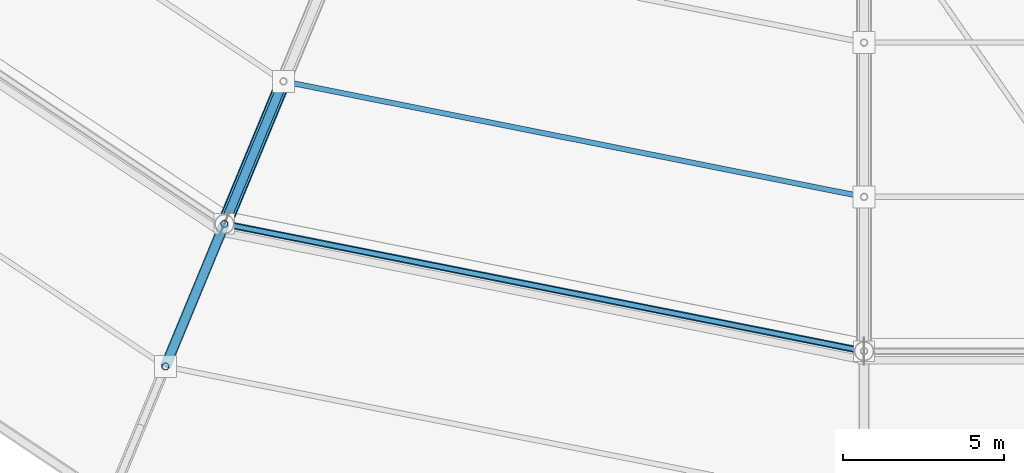
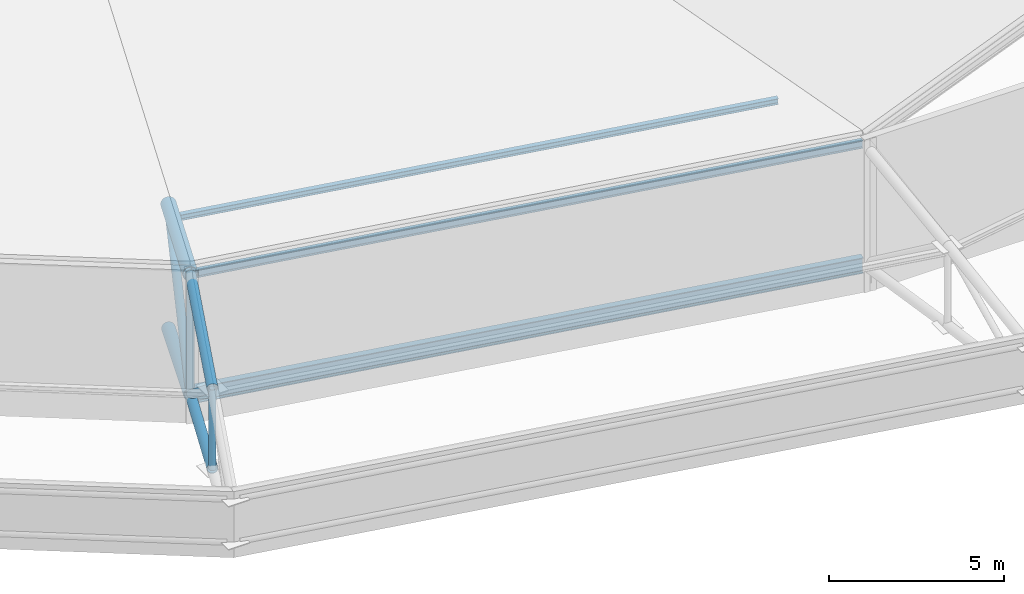
# One storey, part 16 of 146: 9 members, 2 beams.
"""IFC4 building model written with IfcOpenShell, lengths in metres."""

from ifc_helpers import new_model, si_unit, direction, frame, origin, origin_2d, place, context, subcontext, project, spatial, hollow_circle, i_section, extrude, material, material_profile, profile_set, type_object, element, save


model = new_model("IFC4")

# Units and contexts
model_context = context("Model", 3, precision=1e-05, world=origin(), true_north=direction((0.0, 1.0)))
body_context = subcontext(model_context, "Body", "Model", "MODEL_VIEW")
ifc_project = project(units=[si_unit("LENGTHUNIT", "METRE"), si_unit("AREAUNIT", "SQUARE_METRE"), si_unit("VOLUMEUNIT", "CUBIC_METRE"), si_unit("PLANEANGLEUNIT", "RADIAN"), si_unit("MASSUNIT", "GRAM", prefix="KILO")], contexts=[model_context])

# Site, building, storey
site_placement = place(None, origin())
site = spatial("IfcSite", under=ifc_project, at=site_placement, CompositionType="ELEMENT")
building_placement = place(site_placement, origin())
building = spatial("IfcBuilding", under=site, at=building_placement, Name="Candeia Ridge Stadium", CompositionType="ELEMENT")
storey_placement = place(building_placement, frame((0.0, 0.0, 31.800048828125)))
storey = spatial("IfcBuildingStorey", under=building, at=storey_placement, Name="RF", CompositionType="ELEMENT", Elevation=31.800048828125)

# Beams
ifc_material = material(Name="Steel ASTM A572 Grade 50", Category="steel")
ifc_material_profile_1 = material_profile(ifc_material, i_section(OverallWidth=0.14794921875, OverallDepth=0.26611328125, WebThickness=0.007568359375, FlangeThickness=0.012939453125, FilletRadius=0.010986328125, at=origin_2d()), Name="W250x44.8", Category="steel")
ifc_profile_set_1 = profile_set([ifc_material_profile_1], Name="Steel ASTM A572 Grade 50")
beam_type_1 = type_object("IfcBeamType", Name="Canopy Edge Spandrel W250x44.8", PredefinedType="SPANDREL", material=ifc_profile_set_1)
beam_1_placement = place(storey_placement, frame((51.1396484375, 22.950439453125, 4.599853515625), z_axis=(0.980785507788, -0.195089178874, 0.0), x_axis=(0.195089178874, 0.980785507788, 0.0)))
element("IfcBeam", 1, at=beam_1_placement, inside=storey, type_object=beam_type_1, Name="Roof crown cap ring beam bay 18", PredefinedType="SPANDREL", context=body_context, shape_type="SweptSolid", body=[
    extrude(i_section(OverallWidth=0.14794921875, OverallDepth=0.26611328125, WebThickness=0.007568359375, FlangeThickness=0.012939453125, FilletRadius=0.010986328125, at=origin_2d()), origin(), (0.0, 0.0, 1.0), 20.20947265625),
])
ifc_material_profile_2 = material_profile(ifc_material, i_section(OverallWidth=0.2119140625, OverallDepth=0.5439453125, WebThickness=0.01318359375, FlangeThickness=0.021240234375, FilletRadius=0.013916015625, at=origin_2d()), Name="W530x123", Category="steel")
ifc_profile_set_2 = profile_set([ifc_material_profile_2], Name="Steel ASTM A572 Grade 50")
beam_type_2 = type_object("IfcBeamType", Name="Roof Perimeter Ring Beam W530x123", PredefinedType="BEAM", material=ifc_profile_set_2)
beam_2_placement = place(storey_placement, frame((51.1396484375, 22.950439453125, 0.39990234375), z_axis=(0.980785507788, -0.195089178874, 0.0), x_axis=(0.195089178874, 0.980785507788, 0.0)))
element("IfcBeam", 2, at=beam_2_placement, inside=storey, type_object=beam_type_2, Name="Roof perimeter ring beam bay 18", PredefinedType="BEAM", context=body_context, shape_type="SweptSolid", body=[
    extrude(i_section(OverallWidth=0.2119140625, OverallDepth=0.5439453125, WebThickness=0.01318359375, FlangeThickness=0.021240234375, FilletRadius=0.013916015625, at=origin_2d()), origin(), (0.0, 0.0, 1.0), 20.20947265625),
])

# Members
ifc_material_profile_3 = material_profile(ifc_material, i_section(OverallWidth=0.1650390625, OverallDepth=0.200927734375, WebThickness=0.006103515625, FlangeThickness=0.01025390625, FilletRadius=0.010009765625, at=origin_2d()), Name="W200x35.9", Category="steel")
ifc_profile_set_3 = profile_set([ifc_material_profile_3], Name="Steel ASTM A572 Grade 50")
member_type_1 = type_object("IfcMemberType", Name="Roof Purlin W200x35.9", PredefinedType="PURLIN", material=ifc_profile_set_3)
member_1_placement = place(storey_placement, frame((52.986328125, 27.383056640625, 3.19189453125), z_axis=(0.980786730857, -0.19508302995, 0.0), x_axis=(0.19508302995, 0.980786730857, 0.0)))
element("IfcMember", 3, at=member_1_placement, inside=storey, type_object=member_type_1, Name="Saddle roof steel purlin bay 18-4", PredefinedType="PURLIN", context=body_context, shape_type="SweptSolid", body=[
    extrude(i_section(OverallWidth=0.1650390625, OverallDepth=0.200927734375, WebThickness=0.006103515625, FlangeThickness=0.01025390625, FilletRadius=0.010009765625, at=origin_2d()), origin(), (0.0, 0.0, 1.0), 18.31640625),
])
ifc_material_profile_4 = material_profile(ifc_material, hollow_circle(Radius=0.161865234375, WallThickness=0.012451171875, at=origin_2d()), Name="CHS323x12", Category="steel")
ifc_profile_set_4 = profile_set([ifc_material_profile_4], Name="Steel ASTM A572 Grade 50")
member_type_2 = type_object("IfcMemberType", Name="Roof Truss Eaves Chord CHS323x12", PredefinedType="CHORD", material=ifc_profile_set_4)
member_2_placement = place(storey_placement, frame((51.100341796875, 22.958251953125, 4.599853515625), z_axis=(-0.379276360613, -0.915748479885, -0.132492127568), x_axis=(0.923893471471, -0.382649779007, 0.0)))
element("IfcMember", 4, at=member_2_placement, inside=storey, type_object=member_type_2, Name="Roof cantilever truss RT-18 top chord 7", PredefinedType="CHORD", context=body_context, shape_type="SweptSolid", body=[
    extrude(hollow_circle(Radius=0.161865234375, WallThickness=0.012451171875, at=origin_2d()), origin(), (0.0, 0.0, 1.0), 4.842529296875),
])
member_3_placement = place(storey_placement, frame((51.100341796875, 22.958251953125, 0.39990234375), z_axis=(-0.378038852607, -0.91276056344, 0.154773317298), x_axis=(0.923893471471, -0.382649779007, 0.0)))
element("IfcMember", 5, at=member_3_placement, inside=storey, type_object=member_type_2, Name="Roof cantilever truss RT-18 bottom chord 7", PredefinedType="CHORD", context=body_context, shape_type="SweptSolid", body=[
    extrude(hollow_circle(Radius=0.161865234375, WallThickness=0.012451171875, at=origin_2d()), origin(), (0.0, 0.0, 1.0), 4.8583984375),
])
ifc_material_profile_5 = material_profile(ifc_material, hollow_circle(Radius=0.136474609375, WallThickness=0.010009765625, at=origin_2d()), Name="CHS273x10", Category="steel")
ifc_profile_set_5 = profile_set([ifc_material_profile_5], Name="Steel ASTM A572 Grade 50")
member_type_3 = type_object("IfcMemberType", Name="Roof Truss Heavy Web Brace CHS273x10", PredefinedType="BRACE", material=ifc_profile_set_5)
member_4_placement = place(storey_placement, frame((52.937255859375, 27.392822265625, 3.7119140625), z_axis=(-0.314986065103, -0.760420904644, -0.567929420414), x_axis=(0.923875488976, -0.382693194178, 0.0)))
element("IfcMember", 6, at=member_4_placement, inside=storey, type_object=member_type_3, Name="Roof cantilever truss RT-18 diagonal web 6", PredefinedType="BRACE", context=body_context, shape_type="SweptSolid", body=[
    extrude(hollow_circle(Radius=0.136474609375, WallThickness=0.010009765625, at=origin_2d()), origin(), (0.0, 0.0, 1.0), 5.831787109375),
])
member_5_placement = place(storey_placement, frame((51.100341796875, 22.958251953125, 0.39990234375), z_axis=(-0.307392467594, -0.742187529095, 0.595539706923), x_axis=(0.923893471471, -0.382649779007, 0.0)))
element("IfcMember", 7, at=member_5_placement, inside=storey, type_object=member_type_3, Name="Roof cantilever truss RT-18 diagonal web 7", PredefinedType="BRACE", context=body_context, shape_type="SweptSolid", body=[
    extrude(hollow_circle(Radius=0.136474609375, WallThickness=0.010009765625, at=origin_2d()), origin(), (0.0, 0.0, 1.0), 5.97509765625),
])
ifc_material_profile_6 = material_profile(ifc_material, hollow_circle(Radius=0.109619140625, WallThickness=0.010009765625, at=origin_2d()), Name="CHS219x10", Category="steel")
ifc_profile_set_6 = profile_set([ifc_material_profile_6], Name="Steel ASTM A572 Grade 50")
member_type_4 = type_object("IfcMemberType", Name="Roof Truss Inner Web Brace CHS219x10", PredefinedType="BRACE", material=ifc_profile_set_6)
member_6_placement = place(storey_placement, frame((51.100341796875, 22.958251953125, 0.39990234375), z_axis=(0.0, 0.0, 1.0), x_axis=(1.0, 0.0, 0.0)))
element("IfcMember", 8, at=member_6_placement, inside=storey, type_object=member_type_4, Name="Roof cantilever truss RT-18 vertical post 6", PredefinedType="BRACE", context=body_context, shape_type="SweptSolid", body=[
    extrude(hollow_circle(Radius=0.109619140625, WallThickness=0.010009765625, at=origin_2d()), origin(), (0.0, 0.0, 1.0), 4.199951171875),
])
member_7_placement = place(storey_placement, frame((49.263671875, 18.523681640625, 1.15185546875), z_axis=(0.0, 0.0, 1.0), x_axis=(1.0, 0.0, 0.0)))
element("IfcMember", 9, at=member_7_placement, inside=storey, type_object=member_type_4, Name="Roof cantilever truss RT-18 vertical post 7", PredefinedType="BRACE", context=body_context, shape_type="SweptSolid", body=[
    extrude(hollow_circle(Radius=0.109619140625, WallThickness=0.010009765625, at=origin_2d()), origin(), (0.0, 0.0, 1.0), 2.806396484375),
])
ifc_material_profile_7 = material_profile(ifc_material, hollow_circle(Radius=0.228515625, WallThickness=0.02001953125, at=origin_2d()), Name="CHS457x20", Category="steel")
ifc_profile_set_7 = profile_set([ifc_material_profile_7], Name="Steel ASTM A572 Grade 50")
member_type_5 = type_object("IfcMemberType", Name="Roof Truss Main Chord CHS457x20", PredefinedType="CHORD", material=ifc_profile_set_7)
member_8_placement = place(storey_placement, frame((52.937255859375, 27.392822265625, 3.7119140625), z_axis=(-0.376308561394, -0.908462082556, 0.181902477112), x_axis=(0.923875488976, -0.382693194178, 0.0)))
element("IfcMember", 10, at=member_8_placement, inside=storey, type_object=member_type_5, Name="Roof cantilever truss RT-18 top chord 6", PredefinedType="CHORD", context=body_context, shape_type="SweptSolid", body=[
    extrude(hollow_circle(Radius=0.228515625, WallThickness=0.02001953125, at=origin_2d()), origin(), (0.0, 0.0, 1.0), 4.88134765625),
])
ifc_material_profile_8 = material_profile(ifc_material, hollow_circle(Radius=0.202880859375, WallThickness=0.01611328125, at=origin_2d()), Name="CHS406x16", Category="steel")
ifc_profile_set_8 = profile_set([ifc_material_profile_8], Name="Steel ASTM A572 Grade 50")
member_type_6 = type_object("IfcMemberType", Name="Roof Truss Outer Chord CHS406x16", PredefinedType="CHORD", material=ifc_profile_set_8)
member_9_placement = place(storey_placement, frame((52.937255859375, 27.392822265625, -0.621337890625), z_axis=(-0.374314942278, -0.903649204085, 0.208101994092), x_axis=(0.923875488976, -0.382693194178, 0.0)))
element("IfcMember", 11, at=member_9_placement, inside=storey, type_object=member_type_6, Name="Roof cantilever truss RT-18 bottom chord 6", PredefinedType="CHORD", context=body_context, shape_type="SweptSolid", body=[
    extrude(hollow_circle(Radius=0.202880859375, WallThickness=0.01611328125, at=origin_2d()), origin(), (0.0, 0.0, 1.0), 4.907470703125),
])

save(model, "model.ifc")
